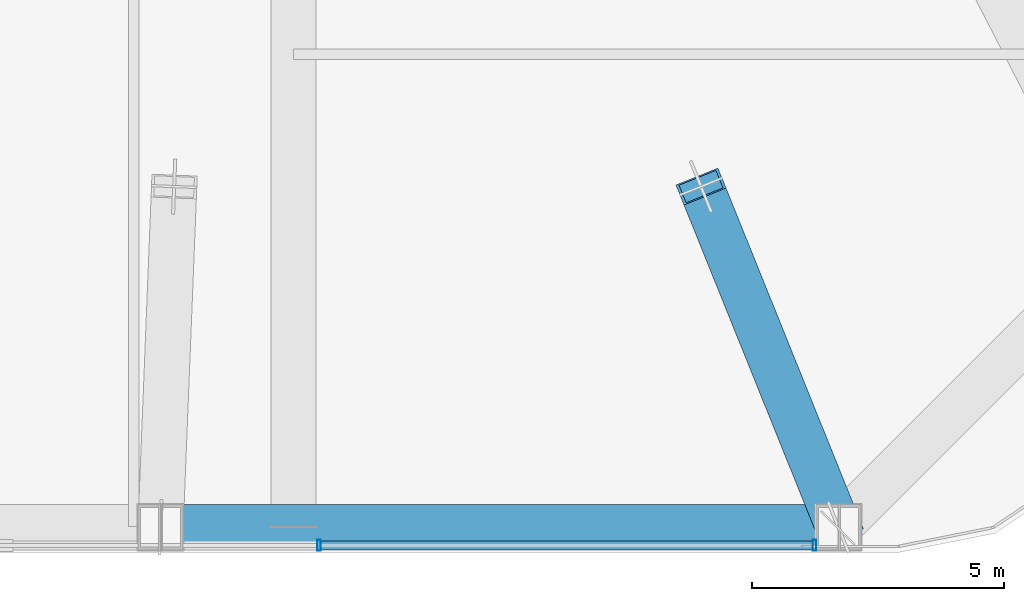
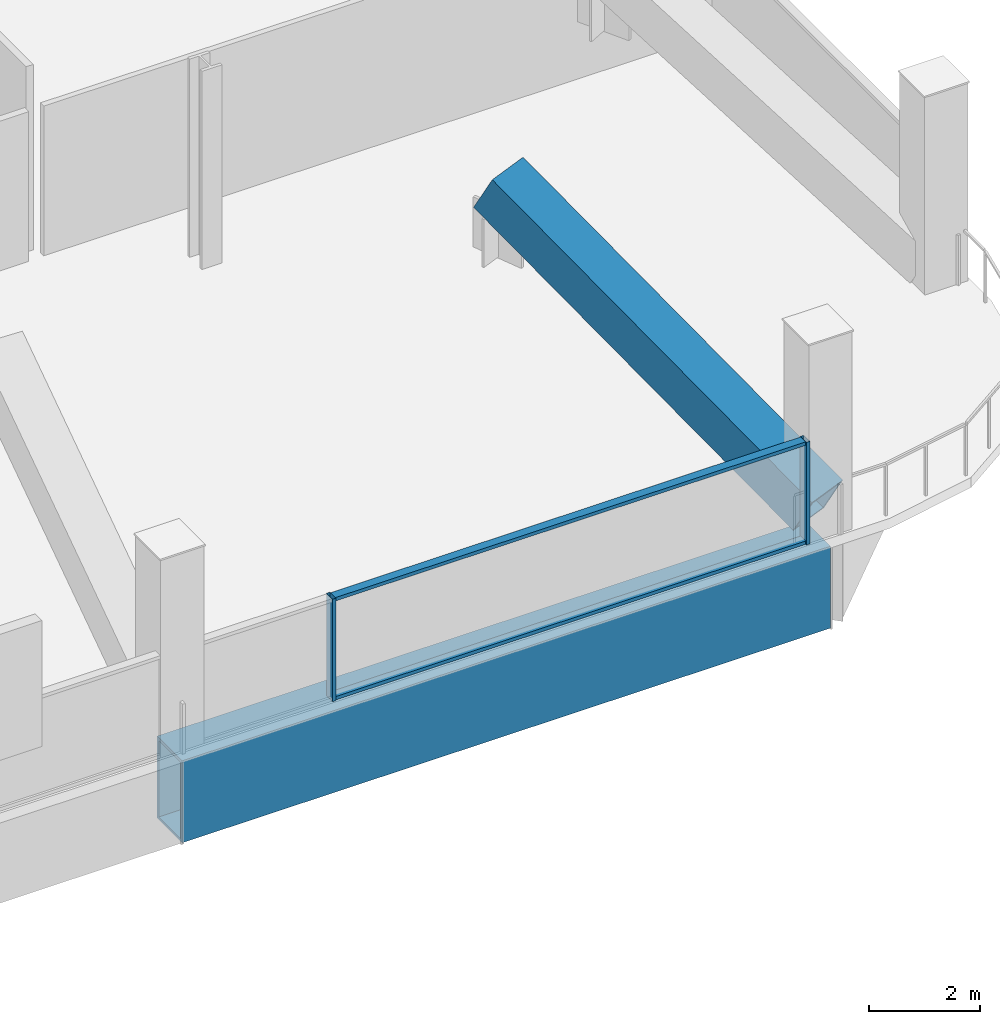
# One storey, part 10 of 38: 5 members, 1 beam, 1 element without a shape of its own.
"""IFC4 building model written with IfcOpenShell, lengths in metres."""

from ifc_helpers import new_model, si_unit, direction, frame, origin, origin_2d, place, context, subcontext, project, spatial, hollow_rectangle, extrude, material, layer, layer_set, material_profile, profile_set, type_object, element, aggregate, save


model = new_model("IFC4")

# Units and contexts
model_context = context("Model", 3, precision=1e-05, world=origin(), true_north=direction((0.0, 1.0)))
body_context = subcontext(model_context, "Body", "Model", "MODEL_VIEW")
ifc_project = project(units=[si_unit("LENGTHUNIT", "METRE"), si_unit("AREAUNIT", "SQUARE_METRE"), si_unit("VOLUMEUNIT", "CUBIC_METRE"), si_unit("PLANEANGLEUNIT", "RADIAN"), si_unit("MASSUNIT", "GRAM", prefix="KILO")], contexts=[model_context])

# Site, building, storey
site_placement = place(None, origin())
site = spatial("IfcSite", under=ifc_project, at=site_placement, CompositionType="ELEMENT")
building_placement = place(site_placement, origin())
building = spatial("IfcBuilding", under=site, at=building_placement, Name="Qhalaya Broadcast Tower", CompositionType="ELEMENT")
storey_placement = place(building_placement, frame((0.0, 0.0, 53.550048828125)))
storey = spatial("IfcBuildingStorey", under=building, at=storey_placement, Name="L15", CompositionType="ELEMENT", Elevation=53.550048828125)

# Beam
ifc_material_1 = material(Name="Structural Steel ASTM A572 Grade 50", Category="steel")
ifc_material_profile_1 = material_profile(ifc_material_1, hollow_rectangle(XDim=0.89990234375, YDim=1.800048828125, WallThickness=0.06005859375, at=origin_2d()), Name="BOX 900x1800x60")
ifc_profile_set_1 = profile_set([ifc_material_profile_1], Name="Structural Steel ASTM A572 Grade 50")
beam_type = type_object("IfcBeamType", Name="Block Cantilever Transfer Box Girder TG1", PredefinedType="USERDEFINED", material=ifc_profile_set_1)
beam_placement = place(storey_placement, frame((6.7333984375, -25.89990234375, -1.1201171875), z_axis=(1.0, 0.0, 0.0), x_axis=(0.0, 1.0, 0.0)))
element("IfcBeam", 1, at=beam_placement, inside=storey, type_object=beam_type, Name="L15 TG1 L15-SPR-03", ObjectType="GIRDER", PredefinedType="USERDEFINED", context=body_context, shape_type="SweptSolid", body=[
    extrude(hollow_rectangle(XDim=0.89990234375, YDim=1.800048828125, WallThickness=0.06005859375, at=origin_2d()), origin(), (0.0, 0.0, 1.0), 13.466552734375),
])

# Member
ifc_material_profile_2 = material_profile(ifc_material_1, hollow_rectangle(XDim=0.89990234375, YDim=0.89990234375, WallThickness=0.054931640625, at=origin_2d()), Name="BOX 900x900x55")
ifc_profile_set_2 = profile_set([ifc_material_profile_2], Name="Structural Steel ASTM A572 Grade 50")
member_type_1 = type_object("IfcMemberType", Name="Heavy Exoskeleton Transfer Strut RK1", PredefinedType="BRACE", material=ifc_profile_set_2)
member_1_placement = place(storey_placement, frame((20.199951171875, -25.89990234375, 0.40576171875), z_axis=(-0.329028391842, 0.815950394006, 0.475358045985), x_axis=(-0.927435110652, -0.373984111335, 0.0)))
element("IfcMember", 2, at=member_1_placement, inside=storey, type_object=member_type_1, Name="L15 Inclined Exoskeleton Transfer Strut 04", PredefinedType="BRACE", context=body_context, shape_type="SweptSolid", body=[
    extrude(hollow_rectangle(XDim=0.89990234375, YDim=0.89990234375, WallThickness=0.054931640625, at=origin_2d()), origin(), (0.0, 0.0, 1.0), 8.297119140625),
])

# Curtain wall, members
ifc_material_2 = material(Name="Fired Architectural Terracotta", Category="masonry")
ifc_layer = layer(ifc_material_2, 0.219970703125, Name="Fired Architectural Terracotta")
ifc_layer_set = layer_set([ifc_layer], Name="Fired Architectural Terracotta")
curtain_wall_type = type_object("IfcCurtainWallType", Name="Block-Cap Unitised Terracotta Spandrel Wall CW-07", PredefinedType="NOTDEFINED", material=ifc_layer_set)
curtain_wall_placement = place(storey_placement, origin())
curtain_wall = element("IfcCurtainWall", 3, at=curtain_wall_placement, inside=storey, type_object=curtain_wall_type, Name="L15 Unitised Curtain Wall L15-CW-S", PredefinedType="NOTDEFINED")
ifc_material_3 = material(Name="Anodised Aluminium 6063-T6", Category="aluminium")
ifc_material_profile_3 = material_profile(ifc_material_3, hollow_rectangle(XDim=0.074951171875, YDim=0.219970703125, WallThickness=0.00390625, at=origin_2d()), Name="ALU-MUL 75x220x4")
ifc_profile_set_3 = profile_set([ifc_material_profile_3], Name="Anodised Aluminium 6063-T6")
member_type_2 = type_object("IfcMemberType", Name="Unitised Curtain-Wall Mullion M01", PredefinedType="MULLION", material=ifc_profile_set_3)
member_2_placement = place(storey_placement, frame((19.724609375, -26.260009765625, 0.0), z_axis=(0.0, 0.0, 1.0), x_axis=(-1.0, 0.0, 0.0)))
member_2 = element("IfcMember", 4, at=member_2_placement, type_object=member_type_2, Name="CW-07 mullion 1", PredefinedType="MULLION", context=body_context, shape_type="SweptSolid", body=[
    extrude(hollow_rectangle(XDim=0.074951171875, YDim=0.219970703125, WallThickness=0.00390625, at=origin_2d()), origin(), (0.0, 0.0, 1.0), 2.25),
])
member_3_placement = place(storey_placement, frame((9.881103515625, -26.260009765625, 0.0), z_axis=(0.0, 0.0, 1.0), x_axis=(-1.0, 0.0, 0.0)))
member_3 = element("IfcMember", 5, at=member_3_placement, type_object=member_type_2, Name="CW-07 mullion 2", PredefinedType="MULLION", context=body_context, shape_type="SweptSolid", body=[
    extrude(hollow_rectangle(XDim=0.074951171875, YDim=0.219970703125, WallThickness=0.00390625, at=origin_2d()), origin(), (0.0, 0.0, 1.0), 2.25),
])
ifc_material_profile_4 = material_profile(ifc_material_3, hollow_rectangle(XDim=0.074951171875, YDim=0.179931640625, WallThickness=0.00390625, at=origin_2d()), Name="ALU-TRN 75x180x4")
ifc_profile_set_4 = profile_set([ifc_material_profile_4], Name="Anodised Aluminium 6063-T6")
member_type_3 = type_object("IfcMemberType", Name="Unitised Curtain-Wall Transom T01", PredefinedType="USERDEFINED", material=ifc_profile_set_4)
member_4_placement = place(storey_placement, frame((19.68701171875, -26.260009765625, 0.037353515625), z_axis=(-1.0, 0.0, 0.0), x_axis=(0.0, 0.0, 1.0)))
member_4 = element("IfcMember", 6, at=member_4_placement, type_object=member_type_3, Name="CW-07 transom 1.1", ObjectType="TRANSOM", PredefinedType="USERDEFINED", context=body_context, shape_type="SweptSolid", body=[
    extrude(hollow_rectangle(XDim=0.074951171875, YDim=0.179931640625, WallThickness=0.00390625, at=origin_2d()), origin(), (0.0, 0.0, 1.0), 9.7685546875),
])
member_5_placement = place(storey_placement, frame((19.68701171875, -26.260009765625, 2.21240234375), z_axis=(-1.0, 0.0, 0.0), x_axis=(0.0, 0.0, 1.0)))
member_5 = element("IfcMember", 7, at=member_5_placement, type_object=member_type_3, Name="CW-07 transom 1.2", ObjectType="TRANSOM", PredefinedType="USERDEFINED", context=body_context, shape_type="SweptSolid", body=[
    extrude(hollow_rectangle(XDim=0.074951171875, YDim=0.179931640625, WallThickness=0.00390625, at=origin_2d()), origin(), (0.0, 0.0, 1.0), 9.7685546875),
])
aggregate(curtain_wall, [member_2, member_3, member_4, member_5])

save(model, "model.ifc")
